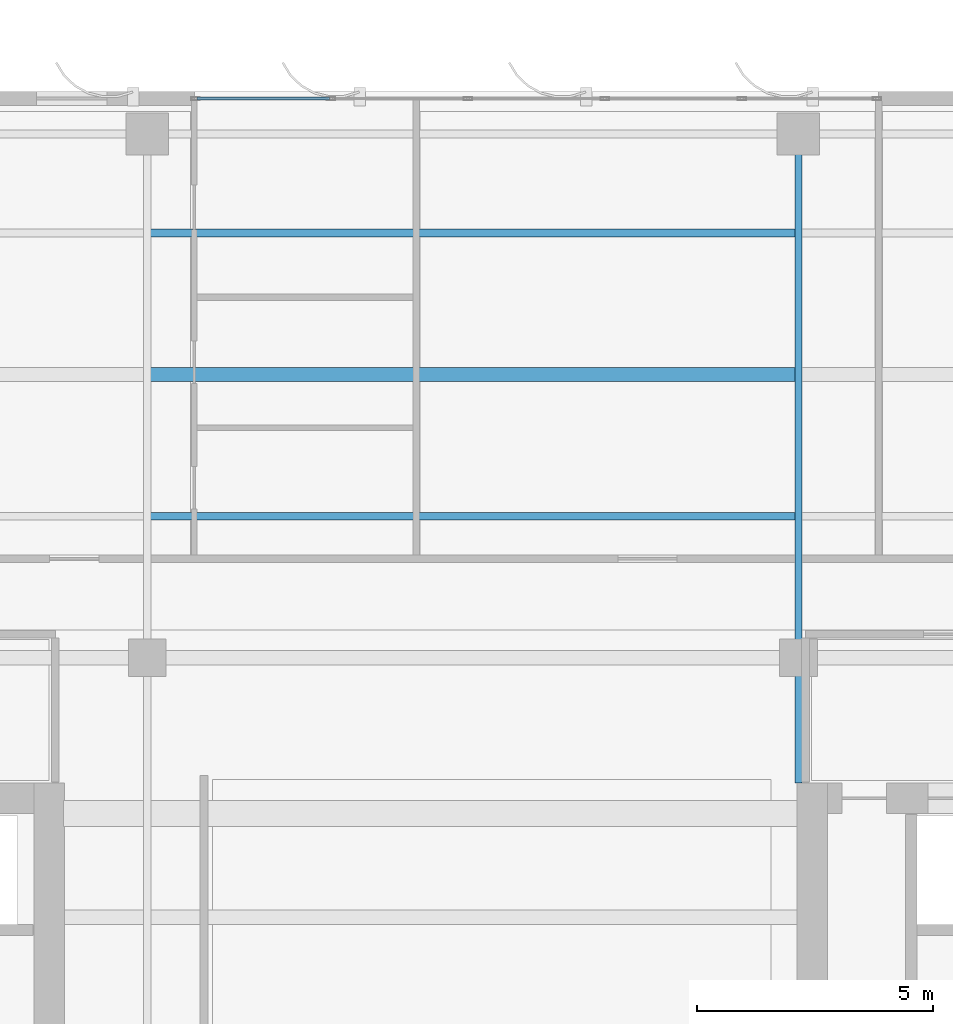
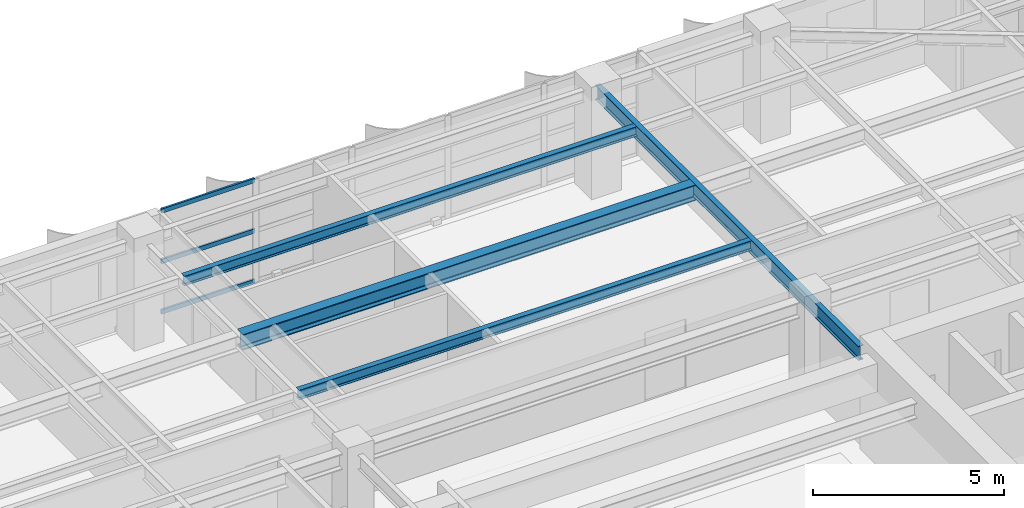
# One storey, part 15 of 25: 4 beams, 3 members, 1 element without a shape of its own.
"""IFC4 building model written with IfcOpenShell, lengths in metres."""

from ifc_helpers import new_model, si_unit, direction, frame, origin, origin_2d, place, context, subcontext, project, spatial, hollow_rectangle, i_section, extrude, source, transform, mapped, material, layer, layer_set, material_profile, profile_set, type_object, element, aggregate, save


model = new_model("IFC4")

# Units and contexts
model_context = context("Model", 3, precision=1e-05, world=origin(), true_north=direction((0.0, 1.0)))
body_context = subcontext(model_context, "Body", "Model", "MODEL_VIEW")
ifc_project = project(units=[si_unit("LENGTHUNIT", "METRE"), si_unit("AREAUNIT", "SQUARE_METRE"), si_unit("VOLUMEUNIT", "CUBIC_METRE"), si_unit("PLANEANGLEUNIT", "RADIAN"), si_unit("MASSUNIT", "GRAM", prefix="KILO")], contexts=[model_context])

# Site, building, storey
site_placement = place(None, origin())
site = spatial("IfcSite", under=ifc_project, at=site_placement, CompositionType="ELEMENT")
building_placement = place(site_placement, origin())
building = spatial("IfcBuilding", under=site, at=building_placement, Name="Khoralis Quay Care Tower", CompositionType="ELEMENT")
storey_placement = place(building_placement, frame((0.0, 0.0, 216.89990234375)))
storey = spatial("IfcBuildingStorey", under=building, at=storey_placement, Name="L57", CompositionType="ELEMENT", Elevation=216.89990234375)

# Beams
ifc_material_1 = material(Name="Steel S355", Category="steel")
ifc_material_profile_1 = material_profile(ifc_material_1, i_section(OverallWidth=0.154052734375, OverallDepth=0.458984375, WebThickness=0.009033203125, FlangeThickness=0.015380859375, FilletRadius=0.014892578125, at=origin_2d()), Name="Steel S355")
ifc_profile_set_1 = profile_set([ifc_material_profile_1], Name="Steel S355")
beam_type_1 = type_object("IfcBeamType", Name="BM-W460X68", PredefinedType="BEAM", material=ifc_profile_set_1)
shared_shape_1 = source(origin(), body_context, "Body", "SweptSolid", [
    extrude(i_section(OverallWidth=0.154052734375, OverallDepth=0.458984375, WebThickness=0.009033203125, FlangeThickness=0.015380859375, FilletRadius=0.014892578125, at=origin_2d()), origin(), (0.0, 0.0, 1.0), 13.752197265625),
])
beam_1_placement = place(storey_placement, frame((30.89990234375, 27.347900390625, 3.050537109375), z_axis=(0.0, 1.0, 0.0), x_axis=(-1.0, 0.0, 0.0)))
element("IfcBeam", 1, at=beam_1_placement, inside=storey, type_object=beam_type_1, Name="BM-TGYN-L57-309", PredefinedType="BEAM", context=body_context, shape_type="MappedRepresentation", body=[
    mapped(shared_shape_1, transform((0.0, 0.0, 0.0), scale=1.0)),
])
ifc_material_profile_2 = material_profile(ifc_material_1, i_section(OverallWidth=0.300048828125, OverallDepth=0.5, WebThickness=0.014404296875, FlangeThickness=0.028076171875, FilletRadius=0.027099609375, at=origin_2d()), Name="Steel S355")
ifc_profile_set_2 = profile_set([ifc_material_profile_2], Name="Steel S355")
beam_type_2 = type_object("IfcBeamType", Name="BM-HEB500", PredefinedType="BEAM", material=ifc_profile_set_2)
shared_shape_2 = source(origin(), body_context, "Body", "SweptSolid", [
    extrude(i_section(OverallWidth=0.300048828125, OverallDepth=0.5, WebThickness=0.014404296875, FlangeThickness=0.028076171875, FilletRadius=0.027099609375, at=origin_2d()), origin(), (0.0, 0.0, 1.0), 13.669921875),
])
beam_2_placement = place(storey_placement, frame((17.1650390625, 36.0, 3.030029296875), z_axis=(1.0, 0.0, 0.0), x_axis=(0.0, 1.0, 0.0)))
element("IfcBeam", 2, at=beam_2_placement, inside=storey, type_object=beam_type_2, Name="BM-TGCC-L57-360", PredefinedType="BEAM", context=body_context, shape_type="MappedRepresentation", body=[
    mapped(shared_shape_2, transform((0.0, 0.0, 0.0), scale=1.0)),
])
ifc_material_profile_3 = material_profile(ifc_material_1, i_section(OverallWidth=0.1650390625, OverallDepth=0.31005859375, WebThickness=0.005859375, FlangeThickness=0.009765625, FilletRadius=0.011962890625, at=origin_2d()), Name="Steel S355")
ifc_profile_set_3 = profile_set([ifc_material_profile_3], Name="Steel S355")
beam_type_3 = type_object("IfcBeamType", Name="BM-W310X39", PredefinedType="JOIST", material=ifc_profile_set_3)
shared_shape_3 = source(origin(), body_context, "Body", "SweptSolid", [
    extrude(i_section(OverallWidth=0.1650390625, OverallDepth=0.31005859375, WebThickness=0.005859375, FlangeThickness=0.009765625, FilletRadius=0.011962890625, at=origin_2d()), origin(), (0.0, 0.0, 1.0), 13.669921875),
])
for number, where, z_axis, x_axis, name in (
    (3, (17.1650390625, 33.0, 3.125), (1.0, 0.0, 0.0), (0.0, 1.0, 0.0), "BM-TJS-L57-26"),
    (4, (17.1650390625, 39.0, 3.125), (1.0, 0.0, 0.0), (0.0, 1.0, 0.0), "BM-TJS-L57-29"),
):
    element("IfcBeam", number, at=place(storey_placement, frame(where, z_axis=z_axis, x_axis=x_axis)), inside=storey, type_object=beam_type_3, Name=name, PredefinedType="JOIST", context=body_context, shape_type="MappedRepresentation", body=[
        mapped(shared_shape_3, transform((0.0, 0.0, 0.0), scale=1.0)),
    ])

# Curtain wall, members
ifc_material_2 = material(Name="Pale anodised aluminium", Category="aluminium")
ifc_layer = layer(ifc_material_2, 0.159912109375)
ifc_layer_set = layer_set([ifc_layer], Name="Pale anodised aluminium")
curtain_wall_type = type_object("IfcCurtainWallType", Name="CW-SYS-Z3", PredefinedType="NOTDEFINED", material=ifc_layer_set)
curtain_wall_placement = place(storey_placement, origin())
curtain_wall = element("IfcCurtainWall", 5, at=curtain_wall_placement, inside=storey, type_object=curtain_wall_type, Name="L57 Unitised Curtain Wall CW-L57-P1-E10", PredefinedType="NOTDEFINED")
ifc_material_profile_4 = material_profile(ifc_material_2, hollow_rectangle(XDim=0.06005859375, YDim=0.139892578125, WallThickness=0.00390625, at=origin_2d()), Name="Pale anodised aluminium")
ifc_profile_set_4 = profile_set([ifc_material_profile_4], Name="Pale anodised aluminium")
member_type = type_object("IfcMemberType", Name="CW-TRN-140", PredefinedType="USERDEFINED", material=ifc_profile_set_4)
shared_shape_4 = source(origin(), body_context, "Body", "SweptSolid", [
    extrude(hollow_rectangle(XDim=0.06005859375, YDim=0.139892578125, WallThickness=0.00390625, at=origin_2d()), origin(), (0.0, 0.0, 1.0), 2.810791015625),
])
member_1_placement = place(storey_placement, frame((20.966796875, 41.85009765625, 0.030029296875), z_axis=(-1.0, 0.0, 0.0), x_axis=(0.0, -1.0, 0.0)))
member_1 = element("IfcMember", 6, at=member_1_placement, type_object=member_type, Name="CW3 transom 5.1", ObjectType="TRANSOM", PredefinedType="USERDEFINED", context=body_context, shape_type="MappedRepresentation", body=[
    mapped(shared_shape_4, transform((0.0, 0.0, 0.0), scale=1.0)),
])
member_2_placement = place(storey_placement, frame((20.966796875, 41.85009765625, 1.64013671875), z_axis=(-1.0, 0.0, 0.0), x_axis=(0.0, -1.0, 0.0)))
member_2 = element("IfcMember", 7, at=member_2_placement, type_object=member_type, Name="CW3 transom 5.2", ObjectType="TRANSOM", PredefinedType="USERDEFINED", context=body_context, shape_type="MappedRepresentation", body=[
    mapped(shared_shape_4, transform((0.0, 0.0, 0.0), scale=1.0)),
])
member_3_placement = place(storey_placement, frame((20.966796875, 41.85009765625, 3.25), z_axis=(-1.0, 0.0, 0.0), x_axis=(0.0, -1.0, 0.0)))
member_3 = element("IfcMember", 8, at=member_3_placement, type_object=member_type, Name="CW3 transom 5.3", ObjectType="TRANSOM", PredefinedType="USERDEFINED", context=body_context, shape_type="MappedRepresentation", body=[
    mapped(shared_shape_4, transform((0.0, 0.0, 0.0), scale=1.0)),
])
aggregate(curtain_wall, [member_1, member_2, member_3])

save(model, "model.ifc")
